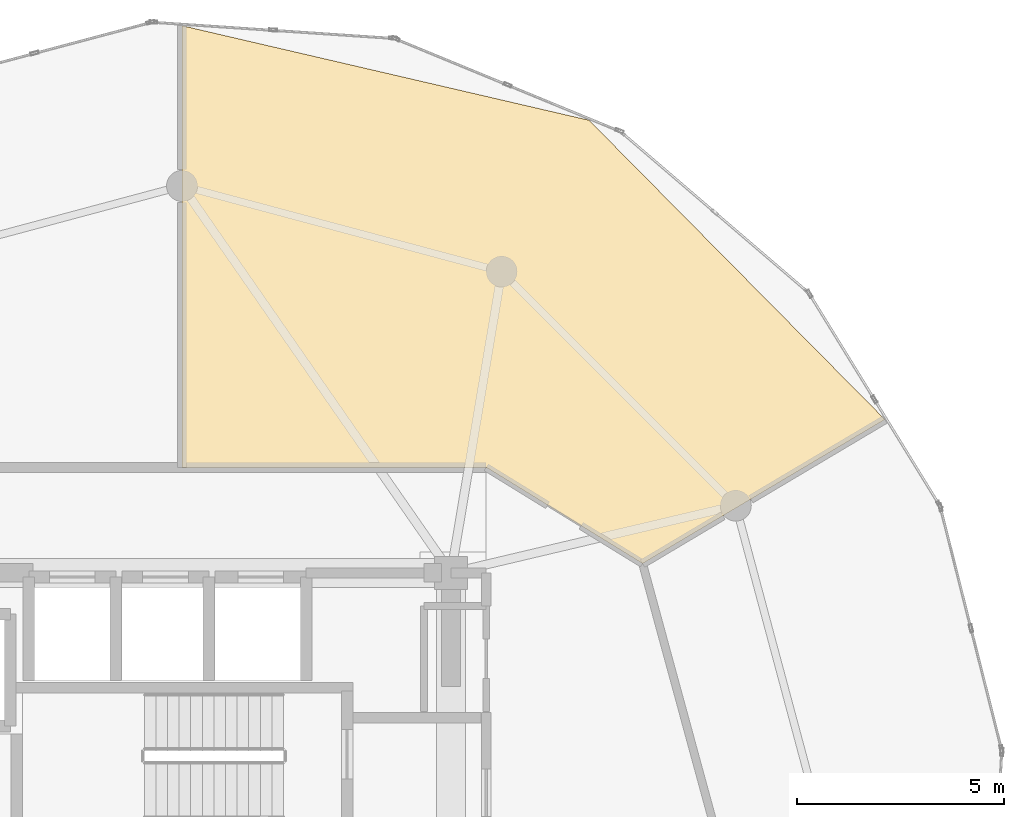
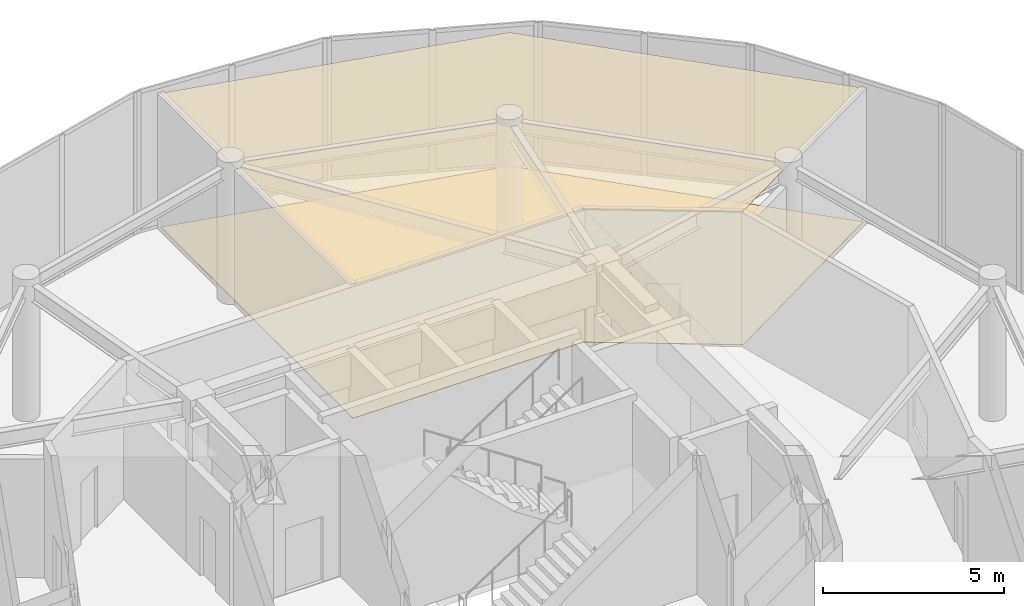
# One storey, part 21 of 21: 2 coverings.
"""IFC4 building model written with IfcOpenShell, lengths in metres."""

from ifc_helpers import new_model, si_unit, direction, frame, origin, place, context, subcontext, project, spatial, polyline, outline, extrude, material, layer, layer_set, type_object, element, save


model = new_model("IFC4")

# Units and contexts
model_context = context("Model", 3, precision=1e-05, world=origin(), true_north=direction((0.0, 1.0)))
body_context = subcontext(model_context, "Body", "Model", "MODEL_VIEW")
ifc_project = project(units=[si_unit("LENGTHUNIT", "METRE"), si_unit("AREAUNIT", "SQUARE_METRE"), si_unit("VOLUMEUNIT", "CUBIC_METRE"), si_unit("PLANEANGLEUNIT", "RADIAN"), si_unit("MASSUNIT", "GRAM", prefix="KILO")], contexts=[model_context])

# Site, building, storey
site_placement = place(None, origin())
site = spatial("IfcSite", under=ifc_project, at=site_placement, CompositionType="ELEMENT")
building_placement = place(site_placement, origin())
building = spatial("IfcBuilding", under=site, at=building_placement, Name="Solvirekh Grand Hotel", CompositionType="ELEMENT")
storey_placement = place(building_placement, frame((0.0, 0.0, 262.0)))
storey = spatial("IfcBuildingStorey", under=building, at=storey_placement, Name="L68", CompositionType="ELEMENT", Elevation=262.0)

# Coverings
ifc_material_1 = material(Name="Acoustic Mineral Ceiling Tile")
ifc_layer_1 = layer(ifc_material_1, 0.02490234375)
ifc_layer_set_1 = layer_set([ifc_layer_1], Name="Acoustic Mineral Ceiling Tile")
covering_type_1 = type_object("IfcCoveringType", Name="Cov_Ceiling_Acoustic", PredefinedType="CEILING", material=ifc_layer_set_1)
covering_1_placement = place(storey_placement, frame((0.0, 0.0, 4.52001953125)))
element("IfcCovering", 1, at=covering_1_placement, inside=storey, type_object=covering_type_1, Name="L68 Vitality Hydrotherapy & Sauna Suite acoustic ceiling", PredefinedType="CEILING", context=body_context, shape_type="SweptSolid", body=[
    extrude(outline(polyline([(0.0, 8.64990234375), (7.35009765625, 8.64990234375), (11.1279296875, 6.324951171875), (16.98388671875, 9.805908203125), (9.8359375, 17.035888671875), (0.0, 19.321044921875), (0.0, 8.64990234375)])), origin(), (0.0, 0.0, 1.0), 0.01806640625),
])
ifc_material_2 = material(Name="Porcelain Stoneware Flooring", Category="masonry")
ifc_layer_2 = layer(ifc_material_2, 0.030029296875)
ifc_layer_set_2 = layer_set([ifc_layer_2], Name="Porcelain Stoneware Flooring")
covering_type_2 = type_object("IfcCoveringType", Name="Cov_Floor_Stone", PredefinedType="FLOORING", material=ifc_layer_set_2)
covering_2_placement = place(storey_placement, origin())
element("IfcCovering", 2, at=covering_2_placement, inside=storey, type_object=covering_type_2, Name="L68 Vitality Hydrotherapy & Sauna Suite polished granite flooring", PredefinedType="FLOORING", context=body_context, shape_type="SweptSolid", body=[
    extrude(outline(polyline([(0.0, 8.64990234375), (7.35009765625, 8.64990234375), (11.1279296875, 6.324951171875), (16.98388671875, 9.805908203125), (9.8359375, 17.035888671875), (0.0, 19.321044921875), (0.0, 8.64990234375)])), origin(), (0.0, 0.0, 1.0), 0.02001953125),
])

save(model, "model.ifc")
